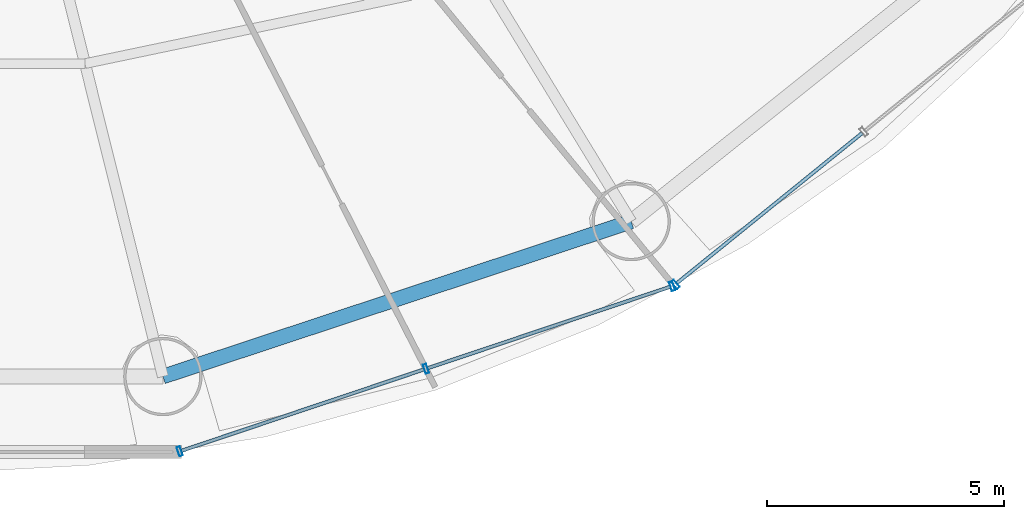
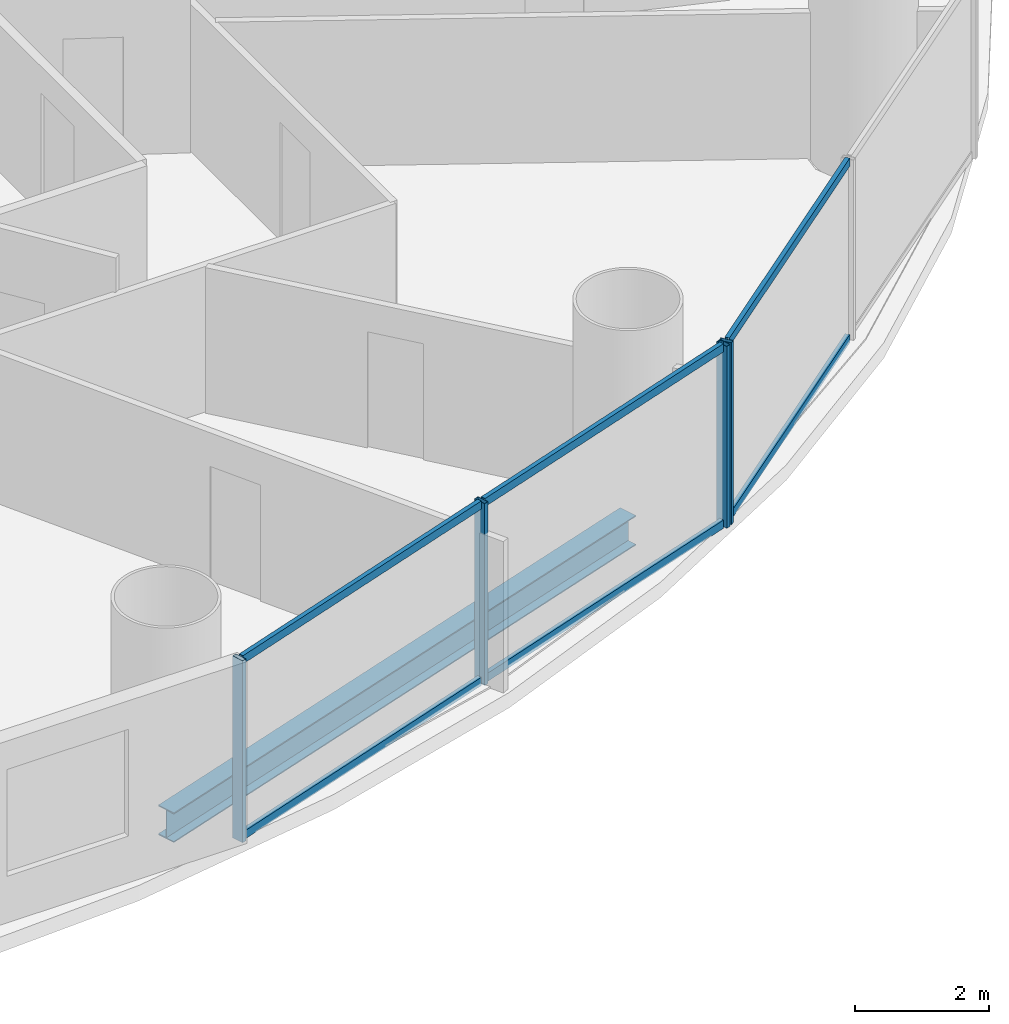
# One storey, part 8 of 28: 10 members, 1 beam, 2 elements without a shape of their own.
"""IFC4 building model written with IfcOpenShell, lengths in metres."""

import ifcopenshell
import ifcopenshell.guid

model = None  # the IFC model being written
_history = None  # IfcOwnerHistory: only IFC2X3 demands one
_inside = {}  # id of a spatial element -> (the spatial element, [elements in it])
_under = {}  # id of a project, library or spatial element -> (it, [spatial elements below it])
_declared = {}  # id of a project -> (the project, [libraries it declares])
_typed = {}  # id of a type object -> (the type object, [elements of that type])
_made_of = {}  # id of a material, layer set ... -> (it, [elements and type objects made of it])


def new_model(schema):
    """Start an empty IFC model of exactly this schema.

    Asked for "IFC4X3", IfcOpenShell would pick the latest addendum, in which some entities
    have other attributes; the version numbers below select the first issue.
    IFC2X3 requires an IfcOwnerHistory on every rooted entity: one is made here for all.
    """
    global model, _history
    if schema == "IFC4X3":
        model = ifcopenshell.file(schema_version=(4, 3, 0, 0))
    else:
        model = ifcopenshell.file(schema=schema)
    _inside.clear()
    _under.clear()
    _declared.clear()
    _typed.clear()
    _made_of.clear()
    _history = None
    if model.schema == "IFC2X3":
        org = make("IfcOrganization", Name="unknown")
        user = make(
            "IfcPersonAndOrganization",
            ThePerson=make("IfcPerson", FamilyName="unknown"),
            TheOrganization=org,
        )
        app = make(
            "IfcApplication",
            ApplicationDeveloper=org,
            Version="unknown",
            ApplicationFullName="unknown",
            ApplicationIdentifier="unknown",
        )
        _history = make(
            "IfcOwnerHistory",
            OwningUser=user,
            OwningApplication=app,
            ChangeAction="ADDED",
            CreationDate=0,
        )
    return model


def make(cls, **values):
    """One entity of the class cls with the attributes given. An attribute that is None is left unset."""
    return model.create_entity(
        cls, **{name: value for name, value in values.items() if value is not None}
    )


def rooted(cls, **values):
    """An entity with a GlobalId (a new one), such as an element, a storey or a relation."""
    return make(cls, GlobalId=ifcopenshell.guid.new(), OwnerHistory=_history, **values)


def si_unit(unit_type, name, prefix=None):
    """IfcSIUnit, for example si_unit("LENGTHUNIT", "METRE", prefix="MILLI")."""
    return make("IfcSIUnit", UnitType=unit_type, Prefix=prefix, Name=name)


def assignment(units):
    """IfcUnitAssignment: the units of a project."""
    return None if units is None else make("IfcUnitAssignment", Units=units)


def point(xyz):
    """IfcCartesianPoint."""
    return None if xyz is None else make("IfcCartesianPoint", Coordinates=xyz)


def direction(xyz):
    """IfcDirection."""
    return None if xyz is None else make("IfcDirection", DirectionRatios=xyz)


def frame(location, z_axis=None, x_axis=None):
    """IfcAxis2Placement3D, a coordinate frame: its origin and axes. An axis left out is left unset."""
    return make(
        "IfcAxis2Placement3D",
        Location=point(location),
        Axis=direction(z_axis),
        RefDirection=direction(x_axis),
    )


def frame_2d(location, x_axis=None):
    """IfcAxis2Placement2D, a coordinate frame in the plane: its origin and x axis."""
    return make(
        "IfcAxis2Placement2D", Location=point(location), RefDirection=direction(x_axis)
    )


def origin():
    """The frame at (0, 0, 0) with its axes left unset."""
    return frame((0.0, 0.0, 0.0))


def origin_2d():
    """The frame at (0, 0) in the plane with its x axis left unset."""
    return frame_2d((0.0, 0.0))


def place(relative_to, where):
    """IfcLocalPlacement: puts the frame where relative to a parent placement (None: the world)."""
    return make(
        "IfcLocalPlacement", PlacementRelTo=relative_to, RelativePlacement=where
    )


def context(
    kind, dimensions, precision=None, world=None, true_north=None, identifier=None
):
    """IfcGeometricRepresentationContext, for example the 3D "Model" context."""
    return make(
        "IfcGeometricRepresentationContext",
        ContextIdentifier=identifier,
        ContextType=kind,
        CoordinateSpaceDimension=dimensions,
        Precision=precision,
        WorldCoordinateSystem=world,
        TrueNorth=true_north,
    )


def subcontext(parent, identifier, kind, view, scale=None):
    """IfcGeometricRepresentationSubContext, for example "Body" below "Model"."""
    return make(
        "IfcGeometricRepresentationSubContext",
        ContextIdentifier=identifier,
        ContextType=kind,
        ParentContext=parent,
        TargetScale=scale,
        TargetView=view,
    )


def project(units=None, contexts=None):
    """IfcProject with its units and contexts."""
    return rooted(
        "IfcProject",
        Name="project",
        RepresentationContexts=contexts,
        UnitsInContext=assignment(units),
    )


def spatial(cls, under=None, at=None, **own):
    """A site, building, storey or space (cls), placed at a placement, below another one or the project."""
    s = rooted(cls, ObjectPlacement=at, **own)
    if under is not None:
        _under.setdefault(under.id(), (under, []))[1].append(s)
    return s


def profile(cls, at=None, kind="AREA", **sizes):
    """A parametric profile (cls). Its sizes go by their IFC names, for example OverallWidth=200.0."""
    return make(cls, ProfileType=kind, Position=at, **sizes)


def hollow_rectangle(**sizes):
    """IfcRectangleHollowProfileDef."""
    return profile("IfcRectangleHollowProfileDef", **sizes)


def i_section(**sizes):
    """IfcIShapeProfileDef."""
    return profile("IfcIShapeProfileDef", **sizes)


def extrude(swept, where, along, depth):
    """IfcExtrudedAreaSolid: the profile swept, set in the frame where, extruded along a direction by depth."""
    return make(
        "IfcExtrudedAreaSolid",
        SweptArea=swept,
        Position=where,
        ExtrudedDirection=direction(along),
        Depth=depth,
    )


def shape(context_of_items, identifier, shape_type, items):
    """IfcShapeRepresentation: the items that make up one representation, for example the "Body"."""
    return make(
        "IfcShapeRepresentation",
        ContextOfItems=context_of_items,
        RepresentationIdentifier=identifier,
        RepresentationType=shape_type,
        Items=items,
    )


def source(mapping_origin, context_of_items, identifier, shape_type, items):
    """IfcRepresentationMap: a shape defined once, which mapped items show again and again."""
    return make(
        "IfcRepresentationMap",
        MappingOrigin=mapping_origin,
        MappedRepresentation=shape(context_of_items, identifier, shape_type, items),
    )


def transform(
    local_origin,
    x_axis=None,
    y_axis=None,
    z_axis=None,
    scale=None,
    scale2=None,
    scale3=None,
    uniform=True,
):
    """IfcCartesianTransformationOperator3D, or its non-uniform kind. x_axis, y_axis, z_axis: its Axis1, 2, 3."""
    if uniform:
        return make(
            "IfcCartesianTransformationOperator3D",
            Axis1=direction(x_axis),
            Axis2=direction(y_axis),
            LocalOrigin=point(local_origin),
            Scale=scale,
            Axis3=direction(z_axis),
        )
    return make(
        "IfcCartesianTransformationOperator3DnonUniform",
        Axis1=direction(x_axis),
        Axis2=direction(y_axis),
        LocalOrigin=point(local_origin),
        Scale=scale,
        Axis3=direction(z_axis),
        Scale2=scale2,
        Scale3=scale3,
    )


def mapped(mapping_source, mapping_target):
    """IfcMappedItem: shows the shape of a source again, moved by a transform."""
    return make(
        "IfcMappedItem", MappingSource=mapping_source, MappingTarget=mapping_target
    )


def material(Name=None, Category=None):
    """IfcMaterial."""
    return make("IfcMaterial", Name=Name, Category=Category)


def material_profile(
    of_material, cross_section, Name=None, Category=None, Priority=None
):
    """IfcMaterialProfile: a cross section and its material."""
    return make(
        "IfcMaterialProfile",
        Name=Name,
        Material=of_material,
        Profile=cross_section,
        Priority=Priority,
        Category=Category,
    )


def profile_set(profiles, Name=None, composite=None):
    """IfcMaterialProfileSet."""
    return make(
        "IfcMaterialProfileSet",
        Name=Name,
        MaterialProfiles=profiles,
        CompositeProfile=composite,
    )


def made_of(thing, what):
    """Note that an element or type object is made of a material, layer set ...; save() writes the relation."""
    if what is not None:
        _made_of.setdefault(what.id(), (what, []))[1].append(thing)
    return thing


def type_object(cls, material=None, **own):
    """A type object (cls), such as IfcWallType, which elements share."""
    return made_of(rooted(cls, **own), material)


def element(
    cls,
    number,
    at=None,
    inside=None,
    cuts=None,
    type_object=None,
    material=None,
    context=None,
    identifier="Body",
    shape_type=None,
    held_by="IfcProductDefinitionShape",
    body=None,
    shapes=None,
    **own,
):
    """One element of the class cls, such as IfcWall. Its Tag is "e" and its number.

    at: its placement. inside: the storey or other place that contains it. cuts: it is an
    opening in that element (IfcRelVoidsElement). A single representation is given by context,
    identifier, shape_type and body (its items); several are given by shapes. held_by: the class
    of the entity that holds the representations. save() writes the other relations.
    """
    e = rooted(cls, Tag="e%d" % number, ObjectPlacement=at, **own)
    if body is not None:
        shapes = [shape(context, identifier, shape_type, body)]
    if shapes is not None:
        e.Representation = make(held_by, Representations=shapes)
    if inside is not None:
        _inside.setdefault(inside.id(), (inside, []))[1].append(e)
    if cuts is not None:
        rooted(
            "IfcRelVoidsElement", RelatingBuildingElement=cuts, RelatedOpeningElement=e
        )
    if type_object is not None:
        _typed.setdefault(type_object.id(), (type_object, []))[1].append(e)
    return made_of(e, material)


def aggregate(whole, parts):
    """IfcRelAggregates: a whole, such as a stair, and the parts it consists of."""
    return rooted("IfcRelAggregates", RelatingObject=whole, RelatedObjects=parts)


def save(model, path):
    """Write the relations noted so far, then the file.

    IfcRelAggregates (storeys below a building ...), IfcRelContainedInSpatialStructure (elements
    in a storey), IfcRelDefinesByType, IfcRelAssociatesMaterial and IfcRelDeclares: one each for
    every whole, place, type object, material and project.
    """
    for whole, parts in _under.values():
        aggregate(whole, parts)
    for where, things in _inside.values():
        rooted(
            "IfcRelContainedInSpatialStructure",
            RelatedElements=things,
            RelatingStructure=where,
        )
    for kind, things in _typed.values():
        rooted("IfcRelDefinesByType", RelatedObjects=things, RelatingType=kind)
    for what, things in _made_of.values():
        rooted("IfcRelAssociatesMaterial", RelatedObjects=things, RelatingMaterial=what)
    for by, libraries in _declared.values():
        rooted("IfcRelDeclares", RelatingContext=by, RelatedDefinitions=libraries)
    model.write(path)


model = new_model("IFC4")

# Units and contexts
model_context = context("Model", 3, precision=1e-05, world=origin(), true_north=direction((-0.2419218956, 0.970295726276)))
body_context = subcontext(model_context, "Body", "Model", "MODEL_VIEW")
ifc_project = project(units=[si_unit("LENGTHUNIT", "METRE"), si_unit("AREAUNIT", "SQUARE_METRE"), si_unit("VOLUMEUNIT", "CUBIC_METRE"), si_unit("PLANEANGLEUNIT", "RADIAN"), si_unit("MASSUNIT", "GRAM", prefix="KILO")], contexts=[model_context])

# Site, building, storey
site_placement = place(None, origin())
site = spatial("IfcSite", under=ifc_project, at=site_placement, CompositionType="ELEMENT")
building_placement = place(site_placement, origin())
building = spatial("IfcBuilding", under=site, at=building_placement, Name="Cobrevalo Terracotta Tower", CompositionType="ELEMENT")
storey_placement = place(building_placement, frame((0.0, 0.0, 38.39990234375)))
storey = spatial("IfcBuildingStorey", under=building, at=storey_placement, Name="L09", CompositionType="ELEMENT", Elevation=38.39990234375)

# Beam
ifc_material_1 = material(Name="Steel S355", Category="steel")
ifc_material_profile_1 = material_profile(ifc_material_1, i_section(OverallWidth=0.31201171875, OverallDepth=0.54296875, WebThickness=0.0126953125, FlangeThickness=0.020263671875, at=origin_2d()), Name="W 530x150")
ifc_profile_set_1 = profile_set([ifc_material_profile_1], Name="Steel S355")
beam_type = type_object("IfcBeamType", Name="Structural Spandrel W 530x150 (Steel S355)", PredefinedType="SPANDREL", material=ifc_profile_set_1)
beam_placement = place(storey_placement, frame((43.335693359375, 5.369873046875, -0.551513671875), z_axis=(0.949372202648, 0.314153498848, 0.0), x_axis=(-0.314153498848, 0.949372202648, 0.0)))
element("IfcBeam", 1, at=beam_placement, inside=storey, type_object=beam_type, Name="L09 perimeter ring spandrel 13", PredefinedType="SPANDREL", context=body_context, shape_type="SweptSolid", body=[
    extrude(i_section(OverallWidth=0.31201171875, OverallDepth=0.54296875, WebThickness=0.0126953125, FlangeThickness=0.020263671875, at=origin_2d()), origin(), (0.0, 0.0, 1.0), 10.385009765625),
])

# Curtain wall, members
ifc_material_2 = material(Name="Anodized aluminium", Category="aluminium")
curtain_wall_type = type_object("IfcCurtainWallType", Name="Lower-tower unitised acoustic low-E curtain wall CW-U1", PredefinedType="NOTDEFINED", material=ifc_material_2)
curtain_wall_1_placement = place(storey_placement, origin())
curtain_wall_1 = element("IfcCurtainWall", 2, at=curtain_wall_1_placement, inside=storey, type_object=curtain_wall_type, Name="L09 curtain wall CW-L09-S13", PredefinedType="NOTDEFINED")
ifc_material_profile_2 = material_profile(ifc_material_2, hollow_rectangle(XDim=0.074951171875, YDim=0.199951171875, WallThickness=0.0048828125, at=origin_2d()), Name="CWM 75x200")
ifc_profile_set_2 = profile_set([ifc_material_profile_2], Name="Anodized aluminium")
member_type_1 = type_object("IfcMemberType", Name="Lower/mid tower unitised mullion 75x200", PredefinedType="MULLION", material=ifc_profile_set_2)
shared_shape_1 = source(origin(), body_context, "Body", "SweptSolid", [
    extrude(hollow_rectangle(XDim=0.074951171875, YDim=0.199951171875, WallThickness=0.0048828125, at=origin_2d()), origin(), (0.0, 0.0, 1.0), 3.320068359375),
])
member_1_placement = place(storey_placement, frame((43.689697265625, 3.793701171875, 0.0), z_axis=(0.0, 0.0, 1.0), x_axis=(0.948046393597, 0.318132103987, 0.0)))
member_1 = element("IfcMember", 3, at=member_1_placement, type_object=member_type_1, Name="CW-L09-S13 vertical mullion 01", PredefinedType="MULLION", context=body_context, shape_type="MappedRepresentation", body=[
    mapped(shared_shape_1, transform((0.0, 0.0, 0.0), scale=1.0)),
])
member_2_placement = place(storey_placement, frame((48.873291015625, 5.533203125, 0.0), z_axis=(0.0, 0.0, 1.0), x_axis=(0.948046393597, 0.318132103987, 0.0)))
member_2 = element("IfcMember", 4, at=member_2_placement, type_object=member_type_1, Name="CW-L09-S13 vertical mullion 02", PredefinedType="MULLION", context=body_context, shape_type="MappedRepresentation", body=[
    mapped(shared_shape_1, transform((0.0, 0.0, 0.0), scale=1.0)),
])
member_3_placement = place(storey_placement, frame((54.056884765625, 7.272705078125, 0.0), z_axis=(0.0, 0.0, 1.0), x_axis=(0.948046393597, 0.318132103987, 0.0)))
member_3 = element("IfcMember", 5, at=member_3_placement, type_object=member_type_1, Name="CW-L09-S13 vertical mullion 03", PredefinedType="MULLION", context=body_context, shape_type="MappedRepresentation", body=[
    mapped(shared_shape_1, transform((0.0, 0.0, 0.0), scale=1.0)),
])

curtain_wall_2_placement = place(storey_placement, origin())
curtain_wall_2 = element("IfcCurtainWall", 6, at=curtain_wall_2_placement, inside=storey, type_object=curtain_wall_type, Name="L09 curtain wall CW-L09-S14", PredefinedType="NOTDEFINED")
member_4_placement = place(storey_placement, frame((54.1259765625, 7.310546875, 0.0), z_axis=(0.0, 0.0, 1.0), x_axis=(0.777003153187, 0.629496703675, 0.0)))
member_4 = element("IfcMember", 7, at=member_4_placement, type_object=member_type_1, Name="CW-L09-S14 vertical mullion 01", PredefinedType="MULLION", context=body_context, shape_type="MappedRepresentation", body=[
    mapped(shared_shape_1, transform((0.0, 0.0, 0.0), scale=1.0)),
])
ifc_material_profile_3 = material_profile(ifc_material_2, hollow_rectangle(XDim=0.074951171875, YDim=0.14990234375, WallThickness=0.00439453125, at=origin_2d()), Name="CWT 75x150")
ifc_profile_set_3 = profile_set([ifc_material_profile_3], Name="Anodized aluminium")
member_type_2 = type_object("IfcMemberType", Name="Tower unitised aluminium transom 75x150", PredefinedType="USERDEFINED", material=ifc_profile_set_3)
shared_shape_2 = source(origin(), body_context, "Body", "SweptSolid", [
    extrude(hollow_rectangle(XDim=0.074951171875, YDim=0.14990234375, WallThickness=0.00439453125, at=origin_2d()), origin(), (0.0, 0.0, 1.0), 5.0234375),
])
member_5_placement = place(storey_placement, frame((54.156982421875, 7.335693359375, 0.050048828125), z_axis=(0.777022991593, 0.629472215857, 0.0), x_axis=(-0.629472215857, 0.777022991593, 0.0)))
member_5 = element("IfcMember", 8, at=member_5_placement, type_object=member_type_2, Name="CW-L09-S14 transom B01-T1", ObjectType="TRANSOM", PredefinedType="USERDEFINED", context=body_context, shape_type="MappedRepresentation", body=[
    mapped(shared_shape_2, transform((0.0, 0.0, 0.0), scale=1.0)),
])
member_6_placement = place(storey_placement, frame((54.156982421875, 7.335693359375, 3.27001953125), z_axis=(0.777022991593, 0.629472215857, 0.0), x_axis=(-0.629472215857, 0.777022991593, 0.0)))
member_6 = element("IfcMember", 9, at=member_6_placement, type_object=member_type_2, Name="CW-L09-S14 transom B01-T2", ObjectType="TRANSOM", PredefinedType="USERDEFINED", context=body_context, shape_type="MappedRepresentation", body=[
    mapped(shared_shape_2, transform((0.0, 0.0, 0.0), scale=1.0)),
])
aggregate(curtain_wall_2, [member_4, member_5, member_6])

# Member
shared_shape_3 = source(origin(), body_context, "Body", "SweptSolid", [
    extrude(hollow_rectangle(XDim=0.074951171875, YDim=0.14990234375, WallThickness=0.00439453125, at=origin_2d()), origin(), (0.0, 0.0, 1.0), 5.387939453125),
])
member_7_placement = place(storey_placement, frame((43.7275390625, 3.806396484375, 0.050048828125), z_axis=(0.94804244582, 0.318143868278, 0.0), x_axis=(-0.318143868278, 0.94804244582, 0.0)))
member_7 = element("IfcMember", 10, at=member_7_placement, type_object=member_type_2, Name="CW-L09-S13 transom B01-T1", ObjectType="TRANSOM", PredefinedType="USERDEFINED", context=body_context, shape_type="MappedRepresentation", body=[
    mapped(shared_shape_3, transform((0.0, 0.0, 0.0), scale=1.0)),
])

member_8_placement = place(storey_placement, frame((43.7275390625, 3.806396484375, 3.27001953125), z_axis=(0.94804244582, 0.318143868278, 0.0), x_axis=(-0.318143868278, 0.94804244582, 0.0)))
member_8 = element("IfcMember", 11, at=member_8_placement, type_object=member_type_2, Name="CW-L09-S13 transom B01-T2", ObjectType="TRANSOM", PredefinedType="USERDEFINED", context=body_context, shape_type="MappedRepresentation", body=[
    mapped(shared_shape_3, transform((0.0, 0.0, 0.0), scale=1.0)),
])

member_9_placement = place(storey_placement, frame((48.9111328125, 5.5458984375, 0.050048828125), z_axis=(0.94804244582, 0.318143868278, 0.0), x_axis=(-0.318143868278, 0.94804244582, 0.0)))
member_9 = element("IfcMember", 12, at=member_9_placement, type_object=member_type_2, Name="CW-L09-S13 transom B02-T1", ObjectType="TRANSOM", PredefinedType="USERDEFINED", context=body_context, shape_type="MappedRepresentation", body=[
    mapped(shared_shape_3, transform((0.0, 0.0, 0.0), scale=1.0)),
])

member_10_placement = place(storey_placement, frame((48.9111328125, 5.5458984375, 3.27001953125), z_axis=(0.94804244582, 0.318143868278, 0.0), x_axis=(-0.318143868278, 0.94804244582, 0.0)))
member_10 = element("IfcMember", 13, at=member_10_placement, type_object=member_type_2, Name="CW-L09-S13 transom B02-T2", ObjectType="TRANSOM", PredefinedType="USERDEFINED", context=body_context, shape_type="MappedRepresentation", body=[
    mapped(shared_shape_3, transform((0.0, 0.0, 0.0), scale=1.0)),
])

aggregate(curtain_wall_1, [member_1, member_2, member_3, member_7, member_8, member_9, member_10])

save(model, "model.ifc")
